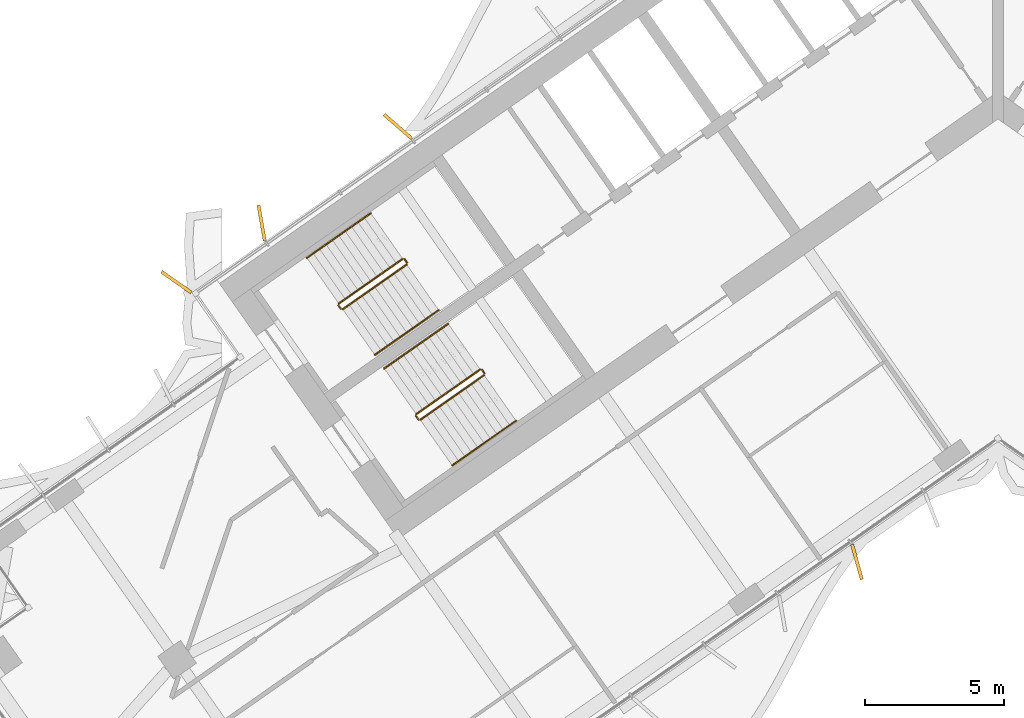
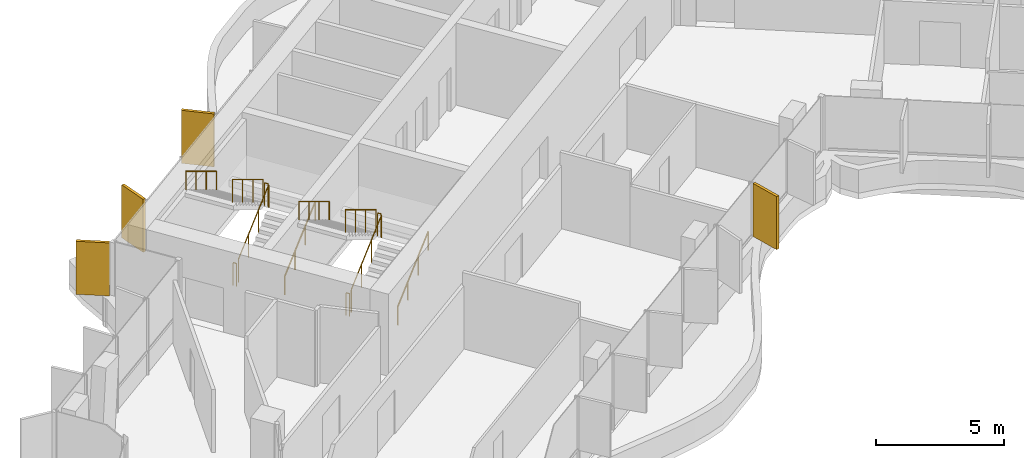
# One storey, part 20 of 23: 12 railings, 4 shading devices.
"""IFC4 building model written with IfcOpenShell, lengths in metres."""

from ifc_helpers import new_model, si_unit, direction, frame, origin, origin_2d, place, context, subcontext, project, spatial, rectangle, circle, extrude, material, layer, layer_set, type_object, element, save


model = new_model("IFC4")

# Units and contexts
model_context = context("Model", 3, precision=1e-05, world=origin(), true_north=direction((0.0, 1.0)))
body_context = subcontext(model_context, "Body", "Model", "MODEL_VIEW")
ifc_project = project(units=[si_unit("LENGTHUNIT", "METRE"), si_unit("AREAUNIT", "SQUARE_METRE"), si_unit("VOLUMEUNIT", "CUBIC_METRE"), si_unit("PLANEANGLEUNIT", "RADIAN"), si_unit("MASSUNIT", "GRAM", prefix="KILO")], contexts=[model_context])

# Site, building, storey
site_placement = place(None, origin())
site = spatial("IfcSite", under=ifc_project, at=site_placement, CompositionType="ELEMENT")
building_placement = place(site_placement, origin())
building = spatial("IfcBuilding", under=site, at=building_placement, Name="Tel Ilan Convention Tower", CompositionType="ELEMENT")
storey_placement = place(building_placement, frame((0.0, 0.0, 198.300048828125)))
storey = spatial("IfcBuildingStorey", under=building, at=storey_placement, Name="L46", CompositionType="ELEMENT", Elevation=198.300048828125)

# Shading devices
ifc_material_1 = material(Name="Aluminium, bronze anodised", Category="aluminium")
ifc_layer = layer(ifc_material_1, 0.1201171875)
ifc_layer_set = layer_set([ifc_layer], Name="FIN BRONZE 1300x120")
shading_device_type = type_object("IfcShadingDeviceType", Name="FIN BRONZE 1300x120", PredefinedType="USERDEFINED", material=ifc_layer_set)
for number, where, z_axis, x_axis, name in (
    (1, (-21.55859375, -1.490234375, 1.099853515625), (0.0, 0.0, 1.0), (-0.753435896329, 0.657521368568, 0.0), "FIN"),
    (2, (-26.453369140625, -4.955078125, 1.099853515625), (0.0, 0.0, 1.0), (-0.173648177667, 0.984807753012, 0.0), "FIN"),
    (3, (-29.515625, -7.081787109375, 1.099853515625), (0.0, 0.0, 1.0), (-0.819152044289, 0.573576436351, 0.0), "FIN"),
    (4, (-5.06494140625, -17.13671875, 1.099853515625), (0.0, 0.0, 1.0), (0.268172612768, -0.963370878614, 0.0), "FIN"),
):
    element("IfcShadingDevice", number, at=place(storey_placement, frame(where, z_axis=z_axis, x_axis=x_axis)), inside=storey, type_object=shading_device_type, Name=name, ObjectType="FIN", PredefinedType="USERDEFINED", context=body_context, shape_type="SweptSolid", body=[
        extrude(rectangle(XDim=1.300048828125, YDim=0.1201171875, at=origin_2d()), origin(), (0.0, 0.0, 1.0), 2.52001953125),
    ])

# Railings
ifc_material_2 = material(Name="Stainless Steel Grade 316", Category="steel")
railing_type_1 = type_object("IfcRailingType", Name="Stainless Steel Stair Guard 1100 mm", PredefinedType="GUARDRAIL", material=ifc_material_2)
railing_1_placement = place(storey_placement, frame((-23.535400390625, -8.056396484375, 0.17724609375)))
element("IfcRailing", 5, at=railing_1_placement, inside=storey, type_object=railing_type_1, Name="L46 S1 stair guard 1", PredefinedType="GUARDRAIL", context=body_context, shape_type="SweptSolid", body=[
    extrude(circle(Radius=0.02392578125, at=origin_2d()), frame((0.0, 0.0, 1.076171875), z_axis=(0.692098378994, 0.484653031975, 0.534893701956), x_axis=(-0.573608623498, 0.819129505664, 0.0)), (0.0, 0.0, 1.0), 3.314208984375),
    extrude(circle(Radius=0.02099609375, at=origin_2d()), origin(), (0.0, 0.0, 1.0), 1.052001953125),
    extrude(circle(Radius=0.02099609375, at=origin_2d()), frame((0.7646484375, 0.535400390625, 0.5908203125)), (0.0, 0.0, 1.0), 1.052001953125),
    extrude(circle(Radius=0.02099609375, at=origin_2d()), frame((1.529052734375, 1.07080078125, 1.181884765625)), (0.0, 0.0, 1.0), 1.052001953125),
    extrude(circle(Radius=0.02099609375, at=origin_2d()), frame((2.293701171875, 1.606201171875, 1.772705078125)), (0.0, 0.0, 1.0), 1.052001953125),
])
railing_2_placement = place(storey_placement, frame((-21.2294921875, -6.380615234375, 1.949951171875)))
element("IfcRailing", 6, at=railing_2_placement, inside=storey, type_object=railing_type_1, Name="L46 S1 stair guard 2", PredefinedType="GUARDRAIL", context=body_context, shape_type="SweptSolid", body=[
    extrude(circle(Radius=0.02392578125, at=origin_2d()), frame((0.0, 0.0, 1.076171875), z_axis=(-0.573353020881, 0.819308436089, 0.0), x_axis=(-0.819308436089, -0.573353020881, 0.0)), (0.0, 0.0, 1.0), 0.14990234375),
    extrude(circle(Radius=0.02099609375, at=origin_2d()), origin(), (0.0, 0.0, 1.0), 1.052001953125),
    extrude(circle(Radius=0.02099609375, at=origin_2d()), frame((-0.0859375, 0.122802734375, 0.0)), (0.0, 0.0, 1.0), 1.052001953125),
])
railing_3_placement = place(storey_placement, frame((-21.38525390625, -6.24560546875, 2.127197265625)))
element("IfcRailing", 7, at=railing_3_placement, inside=storey, type_object=railing_type_1, Name="L46 S1 stair guard 3", PredefinedType="GUARDRAIL", context=body_context, shape_type="SweptSolid", body=[
    extrude(circle(Radius=0.02392578125, at=origin_2d()), frame((0.0, 0.0, 1.076171875), z_axis=(-0.692084706163, -0.484621375041, 0.534940073605), x_axis=(0.573591086599, -0.819141785879, 0.0)), (0.0, 0.0, 1.0), 3.313720703125),
    extrude(circle(Radius=0.02099609375, at=origin_2d()), origin(), (0.0, 0.0, 1.0), 1.052001953125),
    extrude(circle(Radius=0.02099609375, at=origin_2d()), frame((-0.764404296875, -0.535400390625, 0.5908203125)), (0.0, 0.0, 1.0), 1.052001953125),
    extrude(circle(Radius=0.02099609375, at=origin_2d()), frame((-1.529052734375, -1.070556640625, 1.181884765625)), (0.0, 0.0, 1.0), 1.052001953125),
    extrude(circle(Radius=0.02099609375, at=origin_2d()), frame((-2.29345703125, -1.60595703125, 1.772705078125)), (0.0, 0.0, 1.0), 1.052001953125),
])
railing_4_placement = place(storey_placement, frame((-23.60498046875, -8.0439453125, 0.0)))
element("IfcRailing", 8, at=railing_4_placement, inside=storey, type_object=railing_type_1, Name="L46 S1 stair guard 4", PredefinedType="GUARDRAIL", context=body_context, shape_type="SweptSolid", body=[
    extrude(circle(Radius=0.02392578125, at=origin_2d()), frame((0.0, 0.0, 1.076171875), z_axis=(-0.574444878118, 0.818543268254, 0.0), x_axis=(-0.818543268254, -0.574444878118, 0.0)), (0.0, 0.0, 1.0), 0.150146484375),
    extrude(circle(Radius=0.02099609375, at=origin_2d()), origin(), (0.0, 0.0, 1.0), 1.052001953125),
    extrude(circle(Radius=0.02099609375, at=origin_2d()), frame((-0.086181640625, 0.122802734375, 0.0)), (0.0, 0.0, 1.0), 1.052001953125),
])
railing_5_placement = place(storey_placement, frame((-20.753662109375, -12.029296875, 0.17724609375)))
element("IfcRailing", 9, at=railing_5_placement, inside=storey, type_object=railing_type_1, Name="L46 S2 stair guard 1", PredefinedType="GUARDRAIL", context=body_context, shape_type="SweptSolid", body=[
    extrude(circle(Radius=0.02392578125, at=origin_2d()), frame((0.0, 0.0, 1.076171875), z_axis=(0.692098378994, 0.484653031975, 0.534893701956), x_axis=(-0.573608623498, 0.819129505664, 0.0)), (0.0, 0.0, 1.0), 3.314208984375),
    extrude(circle(Radius=0.02099609375, at=origin_2d()), origin(), (0.0, 0.0, 1.0), 1.052001953125),
    extrude(circle(Radius=0.02099609375, at=origin_2d()), frame((0.7646484375, 0.535400390625, 0.5908203125)), (0.0, 0.0, 1.0), 1.052001953125),
    extrude(circle(Radius=0.02099609375, at=origin_2d()), frame((1.529052734375, 1.07080078125, 1.181884765625)), (0.0, 0.0, 1.0), 1.052001953125),
    extrude(circle(Radius=0.02099609375, at=origin_2d()), frame((2.293701171875, 1.606201171875, 1.772705078125)), (0.0, 0.0, 1.0), 1.052001953125),
])
railing_6_placement = place(storey_placement, frame((-18.44775390625, -10.353515625, 1.949951171875)))
element("IfcRailing", 10, at=railing_6_placement, inside=storey, type_object=railing_type_1, Name="L46 S2 stair guard 2", PredefinedType="GUARDRAIL", context=body_context, shape_type="SweptSolid", body=[
    extrude(circle(Radius=0.02392578125, at=origin_2d()), frame((0.0, 0.0, 1.076171875), z_axis=(-0.573353020881, 0.819308436089, 0.0), x_axis=(-0.819308436089, -0.573353020881, 0.0)), (0.0, 0.0, 1.0), 0.14990234375),
    extrude(circle(Radius=0.02099609375, at=origin_2d()), origin(), (0.0, 0.0, 1.0), 1.052001953125),
    extrude(circle(Radius=0.02099609375, at=origin_2d()), frame((-0.0859375, 0.122802734375, 0.0)), (0.0, 0.0, 1.0), 1.052001953125),
])
railing_7_placement = place(storey_placement, frame((-18.603271484375, -10.218505859375, 2.127197265625)))
element("IfcRailing", 11, at=railing_7_placement, inside=storey, type_object=railing_type_1, Name="L46 S2 stair guard 3", PredefinedType="GUARDRAIL", context=body_context, shape_type="SweptSolid", body=[
    extrude(circle(Radius=0.02392578125, at=origin_2d()), frame((0.0, 0.0, 1.076171875), z_axis=(-0.692123088272, -0.484596665743, 0.534912798717), x_axis=(0.573550118428, -0.819170471667, 0.0)), (0.0, 0.0, 1.0), 3.31396484375),
    extrude(circle(Radius=0.02099609375, at=origin_2d()), origin(), (0.0, 0.0, 1.0), 1.052001953125),
    extrude(circle(Radius=0.02099609375, at=origin_2d()), frame((-0.7646484375, -0.535400390625, 0.5908203125)), (0.0, 0.0, 1.0), 1.052001953125),
    extrude(circle(Radius=0.02099609375, at=origin_2d()), frame((-1.529052734375, -1.070556640625, 1.181884765625)), (0.0, 0.0, 1.0), 1.052001953125),
    extrude(circle(Radius=0.02099609375, at=origin_2d()), frame((-2.293701171875, -1.60595703125, 1.772705078125)), (0.0, 0.0, 1.0), 1.052001953125),
])
railing_8_placement = place(storey_placement, frame((-20.8232421875, -12.016845703125, 0.0)))
element("IfcRailing", 12, at=railing_8_placement, inside=storey, type_object=railing_type_1, Name="L46 S2 stair guard 4", PredefinedType="GUARDRAIL", context=body_context, shape_type="SweptSolid", body=[
    extrude(circle(Radius=0.02392578125, at=origin_2d()), frame((0.0, 0.0, 1.076171875), z_axis=(-0.573353020881, 0.819308436089, 0.0), x_axis=(-0.819308436089, -0.573353020881, 0.0)), (0.0, 0.0, 1.0), 0.14990234375),
    extrude(circle(Radius=0.02099609375, at=origin_2d()), origin(), (0.0, 0.0, 1.0), 1.052001953125),
    extrude(circle(Radius=0.02099609375, at=origin_2d()), frame((-0.0859375, 0.122802734375, 0.0)), (0.0, 0.0, 1.0), 1.052001953125),
])
ifc_material_3 = material(Name="Stainless Steel Grade 316", Category="steel")
railing_type_2 = type_object("IfcRailingType", Name="Stainless Steel Stair Handrail 900 mm", PredefinedType="HANDRAIL", material=ifc_material_3)
railing_9_placement = place(storey_placement, frame((-22.38818359375, -9.694580078125, 0.17724609375)))
element("IfcRailing", 13, at=railing_9_placement, inside=storey, type_object=railing_type_2, Name="L46 S1 stair handrail 1", PredefinedType="HANDRAIL", context=body_context, shape_type="SweptSolid", body=[
    extrude(circle(Radius=0.02392578125, at=origin_2d()), frame((0.0, 0.0, 0.8759765625), z_axis=(0.692084706163, 0.484621375041, 0.534940073605), x_axis=(-0.573591086599, 0.819141785879, 0.0)), (0.0, 0.0, 1.0), 3.313720703125),
    extrude(circle(Radius=0.02099609375, at=origin_2d()), origin(), (0.0, 0.0, 1.0), 0.851806640625),
    extrude(circle(Radius=0.02099609375, at=origin_2d()), frame((0.764404296875, 0.535400390625, 0.5908203125)), (0.0, 0.0, 1.0), 0.851806640625),
    extrude(circle(Radius=0.02099609375, at=origin_2d()), frame((1.529052734375, 1.070556640625, 1.181884765625)), (0.0, 0.0, 1.0), 0.851806640625),
    extrude(circle(Radius=0.02099609375, at=origin_2d()), frame((2.29345703125, 1.60595703125, 1.772705078125)), (0.0, 0.0, 1.0), 0.851806640625),
])
railing_10_placement = place(storey_placement, frame((-22.5322265625, -4.607177734375, 2.127197265625)))
element("IfcRailing", 14, at=railing_10_placement, inside=storey, type_object=railing_type_2, Name="L46 S1 stair handrail 2", PredefinedType="HANDRAIL", context=body_context, shape_type="SweptSolid", body=[
    extrude(circle(Radius=0.02392578125, at=origin_2d()), frame((0.0, 0.0, 0.8759765625), z_axis=(-0.692123088272, -0.484596665743, 0.534912798717), x_axis=(0.573550118428, -0.819170471667, 0.0)), (0.0, 0.0, 1.0), 3.31396484375),
    extrude(circle(Radius=0.02099609375, at=origin_2d()), origin(), (0.0, 0.0, 1.0), 0.851806640625),
    extrude(circle(Radius=0.02099609375, at=origin_2d()), frame((-0.7646484375, -0.535400390625, 0.5908203125)), (0.0, 0.0, 1.0), 0.851806640625),
    extrude(circle(Radius=0.02099609375, at=origin_2d()), frame((-1.529052734375, -1.070556640625, 1.181884765625)), (0.0, 0.0, 1.0), 0.851806640625),
    extrude(circle(Radius=0.02099609375, at=origin_2d()), frame((-2.293701171875, -1.60595703125, 1.772705078125)), (0.0, 0.0, 1.0), 0.851806640625),
])
railing_11_placement = place(storey_placement, frame((-19.6064453125, -13.66748046875, 0.17724609375)))
element("IfcRailing", 15, at=railing_11_placement, inside=storey, type_object=railing_type_2, Name="L46 S2 stair handrail 1", PredefinedType="HANDRAIL", context=body_context, shape_type="SweptSolid", body=[
    extrude(circle(Radius=0.02392578125, at=origin_2d()), frame((0.0, 0.0, 0.8759765625), z_axis=(0.692123088272, 0.484596665743, 0.534912798717), x_axis=(-0.573550118428, 0.819170471667, 0.0)), (0.0, 0.0, 1.0), 3.31396484375),
    extrude(circle(Radius=0.02099609375, at=origin_2d()), origin(), (0.0, 0.0, 1.0), 0.851806640625),
    extrude(circle(Radius=0.02099609375, at=origin_2d()), frame((0.7646484375, 0.535400390625, 0.5908203125)), (0.0, 0.0, 1.0), 0.851806640625),
    extrude(circle(Radius=0.02099609375, at=origin_2d()), frame((1.529052734375, 1.070556640625, 1.181884765625)), (0.0, 0.0, 1.0), 0.851806640625),
    extrude(circle(Radius=0.02099609375, at=origin_2d()), frame((2.293701171875, 1.60595703125, 1.772705078125)), (0.0, 0.0, 1.0), 0.851806640625),
])
railing_12_placement = place(storey_placement, frame((-19.75048828125, -8.580078125, 2.127197265625)))
element("IfcRailing", 16, at=railing_12_placement, inside=storey, type_object=railing_type_2, Name="L46 S2 stair handrail 2", PredefinedType="HANDRAIL", context=body_context, shape_type="SweptSolid", body=[
    extrude(circle(Radius=0.02392578125, at=origin_2d()), frame((0.0, 0.0, 0.8759765625), z_axis=(-0.692123088272, -0.484596665743, 0.534912798717), x_axis=(0.573550118428, -0.819170471667, 0.0)), (0.0, 0.0, 1.0), 3.31396484375),
    extrude(circle(Radius=0.02099609375, at=origin_2d()), origin(), (0.0, 0.0, 1.0), 0.851806640625),
    extrude(circle(Radius=0.02099609375, at=origin_2d()), frame((-0.7646484375, -0.535400390625, 0.5908203125)), (0.0, 0.0, 1.0), 0.851806640625),
    extrude(circle(Radius=0.02099609375, at=origin_2d()), frame((-1.529052734375, -1.070556640625, 1.181884765625)), (0.0, 0.0, 1.0), 0.851806640625),
    extrude(circle(Radius=0.02099609375, at=origin_2d()), frame((-2.293701171875, -1.60595703125, 1.772705078125)), (0.0, 0.0, 1.0), 0.851806640625),
])

save(model, "model.ifc")
